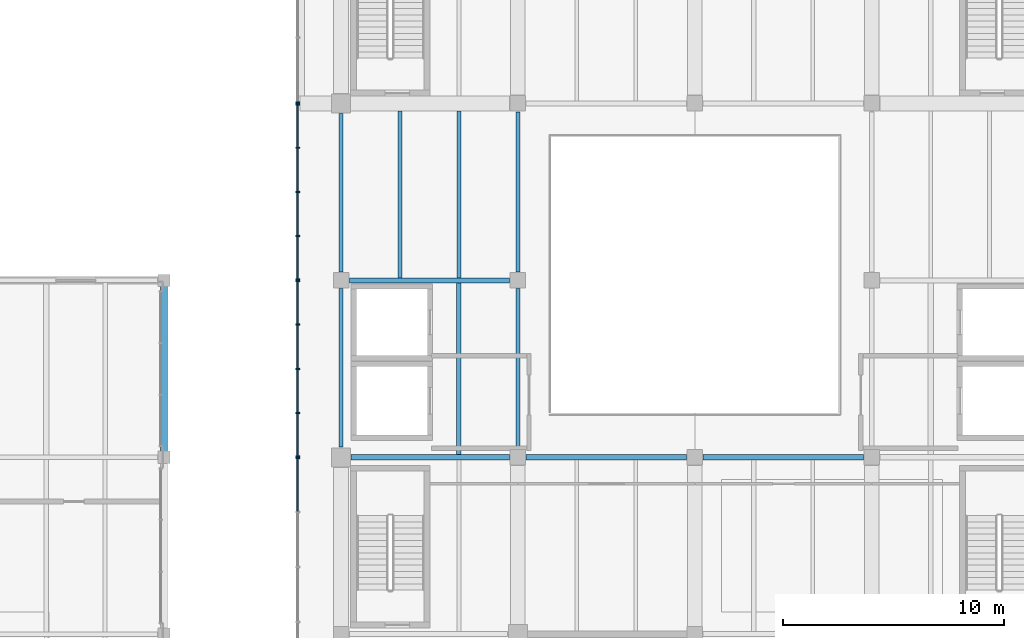
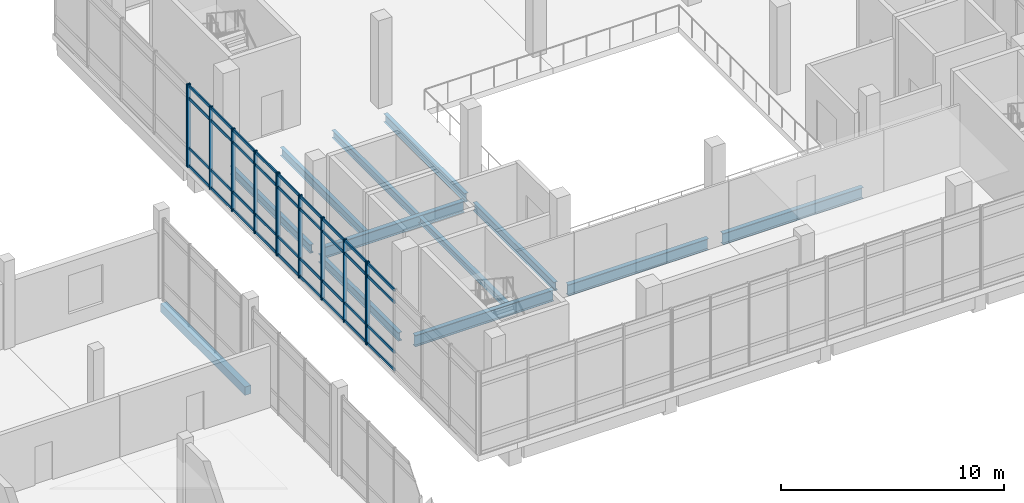
# One storey, part 18 of 47: 48 members, 12 beams, 4 elements without a shape of their own.
"""IFC4 building model written with IfcOpenShell, lengths in metres."""

from ifc_helpers import new_model, si_unit, direction, frame, origin, origin_2d, place, context, subcontext, project, spatial, rectangle, i_section, extrude, material, material_profile, profile_set, type_object, element, aggregate, save


model = new_model("IFC4")

# Units and contexts
model_context = context("Model", 3, precision=1e-05, world=origin(), true_north=direction((0.0, 1.0)))
body_context = subcontext(model_context, "Body", "Model", "MODEL_VIEW")
ifc_project = project(units=[si_unit("LENGTHUNIT", "METRE"), si_unit("AREAUNIT", "SQUARE_METRE"), si_unit("VOLUMEUNIT", "CUBIC_METRE"), si_unit("PLANEANGLEUNIT", "RADIAN"), si_unit("MASSUNIT", "GRAM", prefix="KILO")], contexts=[model_context])

# Site, building, storey
site_placement = place(None, origin())
site = spatial("IfcSite", under=ifc_project, at=site_placement, CompositionType="ELEMENT")
building_placement = place(site_placement, origin())
building = spatial("IfcBuilding", under=site, at=building_placement, Name="Pecanmere Concourse Central Library", CompositionType="ELEMENT")
storey_placement = place(building_placement, frame((0.0, 0.0, 15.300048828125)))
storey = spatial("IfcBuildingStorey", under=building, at=storey_placement, Name="L04", CompositionType="ELEMENT", Elevation=15.300048828125)

# Beam
ifc_material_1 = material(Name="Concrete C40/50", Category="concrete")
ifc_material_profile_1 = material_profile(ifc_material_1, rectangle(XDim=0.320068359375, YDim=0.4599609375, at=origin_2d()), Name="RC 320x460")
ifc_profile_set_1 = profile_set([ifc_material_profile_1], Name="Concrete C40/50")
beam_type_1 = type_object("IfcBeamType", Name="BM_320x460", PredefinedType="BEAM", material=ifc_profile_set_1)
beam_1_placement = place(storey_placement, frame((64.0, 98.219970703125, -0.550048828125), z_axis=(0.0, 1.0, 0.0), x_axis=(-1.0, 0.0, 0.0)))
element("IfcBeam", 1, at=beam_1_placement, inside=storey, type_object=beam_type_1, Name="Primary Girder Y L04-2270", PredefinedType="BEAM", context=body_context, shape_type="SweptSolid", body=[
    extrude(rectangle(XDim=0.320068359375, YDim=0.4599609375, at=origin_2d()), origin(), (0.0, 0.0, 1.0), 7.56005859375),
])

# Curtain wall, member
ifc_material_2 = material(Name="Anodized bronze aluminium alloy 6063-T6", Category="aluminium")
curtain_wall_type = type_object("IfcCurtainWallType", Name="CW_PLUMB_BANDED", PredefinedType="USERDEFINED", material=ifc_material_2)
curtain_wall_1_placement = place(storey_placement, origin())
curtain_wall_1 = element("IfcCurtainWall", 2, at=curtain_wall_1_placement, inside=storey, type_object=curtain_wall_type, Name="Unitised Curtain Wall CW-02 L04-050", ObjectType="UNITISED CURTAIN WALL", PredefinedType="USERDEFINED")
ifc_material_3 = material(Name="Anodized bronze aluminium alloy 6063-T6", Category="aluminium")
ifc_material_profile_2 = material_profile(ifc_material_3, rectangle(XDim=0.06494140625, YDim=0.179931640625, at=origin_2d()), Name="AL 65x180")
ifc_profile_set_2 = profile_set([ifc_material_profile_2], Name="Anodized bronze aluminium alloy 6063-T6")
member_type_1 = type_object("IfcMemberType", Name="CWM_180x65", PredefinedType="MULLION", material=ifc_profile_set_2)
member_1_placement = place(storey_placement, frame((70.03857421875, 114.03759765625, 0.0), z_axis=(0.0, 0.0, 1.0), x_axis=(0.0, -1.0, 0.0)))
member_1 = element("IfcMember", 3, at=member_1_placement, type_object=member_type_1, Name="CW-02 Mullion 5", PredefinedType="MULLION", context=body_context, shape_type="SweptSolid", body=[
    extrude(rectangle(XDim=0.06494140625, YDim=0.179931640625, at=origin_2d()), origin(), (0.0, 0.0, 1.0), 4.52001953125),
])
aggregate(curtain_wall_1, [member_1])

# Curtain wall, members
curtain_wall_2_placement = place(storey_placement, origin())
curtain_wall_2 = element("IfcCurtainWall", 4, at=curtain_wall_2_placement, inside=storey, type_object=curtain_wall_type, Name="Unitised Curtain Wall CW-02 L04-051", ObjectType="UNITISED CURTAIN WALL", PredefinedType="USERDEFINED")
member_2_placement = place(storey_placement, frame((70.03857421875, 113.96240234375, 0.0), z_axis=(0.0, 0.0, 1.0), x_axis=(0.0, -1.0, 0.0)))
member_2 = element("IfcMember", 5, at=member_2_placement, type_object=member_type_1, Name="CW-02 Mullion 1", PredefinedType="MULLION", context=body_context, shape_type="SweptSolid", body=[
    extrude(rectangle(XDim=0.06494140625, YDim=0.179931640625, at=origin_2d()), origin(), (0.0, 0.0, 1.0), 4.52001953125),
])
member_3_placement = place(storey_placement, frame((70.03857421875, 111.99755859375, 0.0), z_axis=(0.0, 0.0, 1.0), x_axis=(0.0, -1.0, 0.0)))
member_3 = element("IfcMember", 6, at=member_3_placement, type_object=member_type_1, Name="CW-02 Mullion 2", PredefinedType="MULLION", context=body_context, shape_type="SweptSolid", body=[
    extrude(rectangle(XDim=0.06494140625, YDim=0.179931640625, at=origin_2d()), origin(), (0.0, 0.0, 1.0), 4.52001953125),
])
member_4_placement = place(storey_placement, frame((70.03857421875, 110.0, 0.0), z_axis=(0.0, 0.0, 1.0), x_axis=(0.0, -1.0, 0.0)))
member_4 = element("IfcMember", 7, at=member_4_placement, type_object=member_type_1, Name="CW-02 Mullion 3", PredefinedType="MULLION", context=body_context, shape_type="SweptSolid", body=[
    extrude(rectangle(XDim=0.06494140625, YDim=0.179931640625, at=origin_2d()), origin(), (0.0, 0.0, 1.0), 4.52001953125),
])
member_5_placement = place(storey_placement, frame((70.03857421875, 108.00244140625, 0.0), z_axis=(0.0, 0.0, 1.0), x_axis=(0.0, -1.0, 0.0)))
member_5 = element("IfcMember", 8, at=member_5_placement, type_object=member_type_1, Name="CW-02 Mullion 4", PredefinedType="MULLION", context=body_context, shape_type="SweptSolid", body=[
    extrude(rectangle(XDim=0.06494140625, YDim=0.179931640625, at=origin_2d()), origin(), (0.0, 0.0, 1.0), 4.52001953125),
])
member_6_placement = place(storey_placement, frame((70.03857421875, 106.03759765625, 0.0), z_axis=(0.0, 0.0, 1.0), x_axis=(0.0, -1.0, 0.0)))
member_6 = element("IfcMember", 9, at=member_6_placement, type_object=member_type_1, Name="CW-02 Mullion 5", PredefinedType="MULLION", context=body_context, shape_type="SweptSolid", body=[
    extrude(rectangle(XDim=0.06494140625, YDim=0.179931640625, at=origin_2d()), origin(), (0.0, 0.0, 1.0), 4.52001953125),
])

curtain_wall_3_placement = place(storey_placement, origin())
curtain_wall_3 = element("IfcCurtainWall", 10, at=curtain_wall_3_placement, inside=storey, type_object=curtain_wall_type, Name="Unitised Curtain Wall CW-02 L04-052", ObjectType="UNITISED CURTAIN WALL", PredefinedType="USERDEFINED")
member_7_placement = place(storey_placement, frame((70.03857421875, 105.96240234375, 0.0), z_axis=(0.0, 0.0, 1.0), x_axis=(0.0, -1.0, 0.0)))
member_7 = element("IfcMember", 11, at=member_7_placement, type_object=member_type_1, Name="CW-02 Mullion 1", PredefinedType="MULLION", context=body_context, shape_type="SweptSolid", body=[
    extrude(rectangle(XDim=0.06494140625, YDim=0.179931640625, at=origin_2d()), origin(), (0.0, 0.0, 1.0), 4.52001953125),
])
member_8_placement = place(storey_placement, frame((70.03857421875, 103.99755859375, 0.0), z_axis=(0.0, 0.0, 1.0), x_axis=(0.0, -1.0, 0.0)))
member_8 = element("IfcMember", 12, at=member_8_placement, type_object=member_type_1, Name="CW-02 Mullion 2", PredefinedType="MULLION", context=body_context, shape_type="SweptSolid", body=[
    extrude(rectangle(XDim=0.06494140625, YDim=0.179931640625, at=origin_2d()), origin(), (0.0, 0.0, 1.0), 4.52001953125),
])
member_9_placement = place(storey_placement, frame((70.03857421875, 102.0, 0.0), z_axis=(0.0, 0.0, 1.0), x_axis=(0.0, -1.0, 0.0)))
member_9 = element("IfcMember", 13, at=member_9_placement, type_object=member_type_1, Name="CW-02 Mullion 3", PredefinedType="MULLION", context=body_context, shape_type="SweptSolid", body=[
    extrude(rectangle(XDim=0.06494140625, YDim=0.179931640625, at=origin_2d()), origin(), (0.0, 0.0, 1.0), 4.52001953125),
])
member_10_placement = place(storey_placement, frame((70.03857421875, 100.00244140625, 0.0), z_axis=(0.0, 0.0, 1.0), x_axis=(0.0, -1.0, 0.0)))
member_10 = element("IfcMember", 14, at=member_10_placement, type_object=member_type_1, Name="CW-02 Mullion 4", PredefinedType="MULLION", context=body_context, shape_type="SweptSolid", body=[
    extrude(rectangle(XDim=0.06494140625, YDim=0.179931640625, at=origin_2d()), origin(), (0.0, 0.0, 1.0), 4.52001953125),
])
member_11_placement = place(storey_placement, frame((70.03857421875, 98.03759765625, 0.0), z_axis=(0.0, 0.0, 1.0), x_axis=(0.0, -1.0, 0.0)))
member_11 = element("IfcMember", 15, at=member_11_placement, type_object=member_type_1, Name="CW-02 Mullion 5", PredefinedType="MULLION", context=body_context, shape_type="SweptSolid", body=[
    extrude(rectangle(XDim=0.06494140625, YDim=0.179931640625, at=origin_2d()), origin(), (0.0, 0.0, 1.0), 4.52001953125),
])

# Curtain wall, member
curtain_wall_4_placement = place(storey_placement, origin())
curtain_wall_4 = element("IfcCurtainWall", 16, at=curtain_wall_4_placement, inside=storey, type_object=curtain_wall_type, Name="Unitised Curtain Wall CW-02 L04-053", ObjectType="UNITISED CURTAIN WALL", PredefinedType="USERDEFINED")
member_12_placement = place(storey_placement, frame((70.03857421875, 97.96240234375, 0.0), z_axis=(0.0, 0.0, 1.0), x_axis=(0.0, -1.0, 0.0)))
member_12 = element("IfcMember", 17, at=member_12_placement, type_object=member_type_1, Name="CW-02 Mullion 1", PredefinedType="MULLION", context=body_context, shape_type="SweptSolid", body=[
    extrude(rectangle(XDim=0.06494140625, YDim=0.179931640625, at=origin_2d()), origin(), (0.0, 0.0, 1.0), 4.52001953125),
])

# Member
ifc_material_4 = material(Name="Anodized bronze aluminium alloy 6063-T6", Category="aluminium")
ifc_material_profile_3 = material_profile(ifc_material_4, rectangle(XDim=0.06005859375, YDim=0.159912109375, at=origin_2d()), Name="AL 60x160")
ifc_profile_set_3 = profile_set([ifc_material_profile_3], Name="Anodized bronze aluminium alloy 6063-T6")
member_type_2 = type_object("IfcMemberType", Name="CWT_160x60", PredefinedType="USERDEFINED", material=ifc_profile_set_3)
member_13_placement = place(storey_placement, frame((70.03857421875, 113.929931640625, 0.079833984375), z_axis=(0.0, -1.0, 0.0), x_axis=(1.0, 0.0, 0.0)))
member_13 = element("IfcMember", 18, at=member_13_placement, type_object=member_type_2, Name="CW-02 Transom 1.1", ObjectType="TRANSOM", PredefinedType="USERDEFINED", context=body_context, shape_type="SweptSolid", body=[
    extrude(rectangle(XDim=0.06005859375, YDim=0.159912109375, at=origin_2d()), origin(), (0.0, 0.0, 1.0), 1.89990234375),
])

member_14_placement = place(storey_placement, frame((70.03857421875, 113.929931640625, 1.050048828125), z_axis=(0.0, -1.0, 0.0), x_axis=(1.0, 0.0, 0.0)))
member_14 = element("IfcMember", 19, at=member_14_placement, type_object=member_type_2, Name="CW-02 Transom 1.2", ObjectType="TRANSOM", PredefinedType="USERDEFINED", context=body_context, shape_type="SweptSolid", body=[
    extrude(rectangle(XDim=0.06005859375, YDim=0.159912109375, at=origin_2d()), origin(), (0.0, 0.0, 1.0), 1.89990234375),
])

member_15_placement = place(storey_placement, frame((70.03857421875, 113.929931640625, 3.77001953125), z_axis=(0.0, -1.0, 0.0), x_axis=(1.0, 0.0, 0.0)))
member_15 = element("IfcMember", 20, at=member_15_placement, type_object=member_type_2, Name="CW-02 Transom 1.3", ObjectType="TRANSOM", PredefinedType="USERDEFINED", context=body_context, shape_type="SweptSolid", body=[
    extrude(rectangle(XDim=0.06005859375, YDim=0.159912109375, at=origin_2d()), origin(), (0.0, 0.0, 1.0), 1.89990234375),
])

member_16_placement = place(storey_placement, frame((70.03857421875, 113.929931640625, 4.43994140625), z_axis=(0.0, -1.0, 0.0), x_axis=(1.0, 0.0, 0.0)))
member_16 = element("IfcMember", 21, at=member_16_placement, type_object=member_type_2, Name="CW-02 Transom 1.4", ObjectType="TRANSOM", PredefinedType="USERDEFINED", context=body_context, shape_type="SweptSolid", body=[
    extrude(rectangle(XDim=0.06005859375, YDim=0.159912109375, at=origin_2d()), origin(), (0.0, 0.0, 1.0), 1.89990234375),
])

member_17_placement = place(storey_placement, frame((70.03857421875, 111.965087890625, 0.079833984375), z_axis=(0.0, -1.0, 0.0), x_axis=(1.0, 0.0, 0.0)))
member_17 = element("IfcMember", 22, at=member_17_placement, type_object=member_type_2, Name="CW-02 Transom 2.1", ObjectType="TRANSOM", PredefinedType="USERDEFINED", context=body_context, shape_type="SweptSolid", body=[
    extrude(rectangle(XDim=0.06005859375, YDim=0.159912109375, at=origin_2d()), origin(), (0.0, 0.0, 1.0), 1.9326171875),
])

member_18_placement = place(storey_placement, frame((70.03857421875, 111.965087890625, 1.050048828125), z_axis=(0.0, -1.0, 0.0), x_axis=(1.0, 0.0, 0.0)))
member_18 = element("IfcMember", 23, at=member_18_placement, type_object=member_type_2, Name="CW-02 Transom 2.2", ObjectType="TRANSOM", PredefinedType="USERDEFINED", context=body_context, shape_type="SweptSolid", body=[
    extrude(rectangle(XDim=0.06005859375, YDim=0.159912109375, at=origin_2d()), origin(), (0.0, 0.0, 1.0), 1.9326171875),
])

member_19_placement = place(storey_placement, frame((70.03857421875, 111.965087890625, 3.77001953125), z_axis=(0.0, -1.0, 0.0), x_axis=(1.0, 0.0, 0.0)))
member_19 = element("IfcMember", 24, at=member_19_placement, type_object=member_type_2, Name="CW-02 Transom 2.3", ObjectType="TRANSOM", PredefinedType="USERDEFINED", context=body_context, shape_type="SweptSolid", body=[
    extrude(rectangle(XDim=0.06005859375, YDim=0.159912109375, at=origin_2d()), origin(), (0.0, 0.0, 1.0), 1.9326171875),
])

member_20_placement = place(storey_placement, frame((70.03857421875, 111.965087890625, 4.43994140625), z_axis=(0.0, -1.0, 0.0), x_axis=(1.0, 0.0, 0.0)))
member_20 = element("IfcMember", 25, at=member_20_placement, type_object=member_type_2, Name="CW-02 Transom 2.4", ObjectType="TRANSOM", PredefinedType="USERDEFINED", context=body_context, shape_type="SweptSolid", body=[
    extrude(rectangle(XDim=0.06005859375, YDim=0.159912109375, at=origin_2d()), origin(), (0.0, 0.0, 1.0), 1.9326171875),
])

member_21_placement = place(storey_placement, frame((70.03857421875, 109.967529296875, 0.079833984375), z_axis=(0.0, -1.0, 0.0), x_axis=(1.0, 0.0, 0.0)))
member_21 = element("IfcMember", 26, at=member_21_placement, type_object=member_type_2, Name="CW-02 Transom 3.1", ObjectType="TRANSOM", PredefinedType="USERDEFINED", context=body_context, shape_type="SweptSolid", body=[
    extrude(rectangle(XDim=0.06005859375, YDim=0.159912109375, at=origin_2d()), origin(), (0.0, 0.0, 1.0), 1.9326171875),
])

member_22_placement = place(storey_placement, frame((70.03857421875, 109.967529296875, 1.050048828125), z_axis=(0.0, -1.0, 0.0), x_axis=(1.0, 0.0, 0.0)))
member_22 = element("IfcMember", 27, at=member_22_placement, type_object=member_type_2, Name="CW-02 Transom 3.2", ObjectType="TRANSOM", PredefinedType="USERDEFINED", context=body_context, shape_type="SweptSolid", body=[
    extrude(rectangle(XDim=0.06005859375, YDim=0.159912109375, at=origin_2d()), origin(), (0.0, 0.0, 1.0), 1.9326171875),
])

member_23_placement = place(storey_placement, frame((70.03857421875, 109.967529296875, 3.77001953125), z_axis=(0.0, -1.0, 0.0), x_axis=(1.0, 0.0, 0.0)))
member_23 = element("IfcMember", 28, at=member_23_placement, type_object=member_type_2, Name="CW-02 Transom 3.3", ObjectType="TRANSOM", PredefinedType="USERDEFINED", context=body_context, shape_type="SweptSolid", body=[
    extrude(rectangle(XDim=0.06005859375, YDim=0.159912109375, at=origin_2d()), origin(), (0.0, 0.0, 1.0), 1.9326171875),
])

member_24_placement = place(storey_placement, frame((70.03857421875, 109.967529296875, 4.43994140625), z_axis=(0.0, -1.0, 0.0), x_axis=(1.0, 0.0, 0.0)))
member_24 = element("IfcMember", 29, at=member_24_placement, type_object=member_type_2, Name="CW-02 Transom 3.4", ObjectType="TRANSOM", PredefinedType="USERDEFINED", context=body_context, shape_type="SweptSolid", body=[
    extrude(rectangle(XDim=0.06005859375, YDim=0.159912109375, at=origin_2d()), origin(), (0.0, 0.0, 1.0), 1.9326171875),
])

member_25_placement = place(storey_placement, frame((70.03857421875, 107.969970703125, 0.079833984375), z_axis=(0.0, -1.0, 0.0), x_axis=(1.0, 0.0, 0.0)))
member_25 = element("IfcMember", 30, at=member_25_placement, type_object=member_type_2, Name="CW-02 Transom 4.1", ObjectType="TRANSOM", PredefinedType="USERDEFINED", context=body_context, shape_type="SweptSolid", body=[
    extrude(rectangle(XDim=0.06005859375, YDim=0.159912109375, at=origin_2d()), origin(), (0.0, 0.0, 1.0), 1.89990234375),
])

member_26_placement = place(storey_placement, frame((70.03857421875, 107.969970703125, 1.050048828125), z_axis=(0.0, -1.0, 0.0), x_axis=(1.0, 0.0, 0.0)))
member_26 = element("IfcMember", 31, at=member_26_placement, type_object=member_type_2, Name="CW-02 Transom 4.2", ObjectType="TRANSOM", PredefinedType="USERDEFINED", context=body_context, shape_type="SweptSolid", body=[
    extrude(rectangle(XDim=0.06005859375, YDim=0.159912109375, at=origin_2d()), origin(), (0.0, 0.0, 1.0), 1.89990234375),
])

member_27_placement = place(storey_placement, frame((70.03857421875, 107.969970703125, 3.77001953125), z_axis=(0.0, -1.0, 0.0), x_axis=(1.0, 0.0, 0.0)))
member_27 = element("IfcMember", 32, at=member_27_placement, type_object=member_type_2, Name="CW-02 Transom 4.3", ObjectType="TRANSOM", PredefinedType="USERDEFINED", context=body_context, shape_type="SweptSolid", body=[
    extrude(rectangle(XDim=0.06005859375, YDim=0.159912109375, at=origin_2d()), origin(), (0.0, 0.0, 1.0), 1.89990234375),
])

member_28_placement = place(storey_placement, frame((70.03857421875, 107.969970703125, 4.43994140625), z_axis=(0.0, -1.0, 0.0), x_axis=(1.0, 0.0, 0.0)))
member_28 = element("IfcMember", 33, at=member_28_placement, type_object=member_type_2, Name="CW-02 Transom 4.4", ObjectType="TRANSOM", PredefinedType="USERDEFINED", context=body_context, shape_type="SweptSolid", body=[
    extrude(rectangle(XDim=0.06005859375, YDim=0.159912109375, at=origin_2d()), origin(), (0.0, 0.0, 1.0), 1.89990234375),
])

aggregate(curtain_wall_2, [member_2, member_3, member_4, member_5, member_6, member_13, member_14, member_15, member_16, member_17, member_18, member_19, member_20, member_21, member_22, member_23, member_24, member_25, member_26, member_27, member_28])

member_29_placement = place(storey_placement, frame((70.03857421875, 105.929931640625, 0.079833984375), z_axis=(0.0, -1.0, 0.0), x_axis=(1.0, 0.0, 0.0)))
member_29 = element("IfcMember", 34, at=member_29_placement, type_object=member_type_2, Name="CW-02 Transom 1.1", ObjectType="TRANSOM", PredefinedType="USERDEFINED", context=body_context, shape_type="SweptSolid", body=[
    extrude(rectangle(XDim=0.06005859375, YDim=0.159912109375, at=origin_2d()), origin(), (0.0, 0.0, 1.0), 1.89990234375),
])

member_30_placement = place(storey_placement, frame((70.03857421875, 105.929931640625, 1.050048828125), z_axis=(0.0, -1.0, 0.0), x_axis=(1.0, 0.0, 0.0)))
member_30 = element("IfcMember", 35, at=member_30_placement, type_object=member_type_2, Name="CW-02 Transom 1.2", ObjectType="TRANSOM", PredefinedType="USERDEFINED", context=body_context, shape_type="SweptSolid", body=[
    extrude(rectangle(XDim=0.06005859375, YDim=0.159912109375, at=origin_2d()), origin(), (0.0, 0.0, 1.0), 1.89990234375),
])

member_31_placement = place(storey_placement, frame((70.03857421875, 105.929931640625, 3.77001953125), z_axis=(0.0, -1.0, 0.0), x_axis=(1.0, 0.0, 0.0)))
member_31 = element("IfcMember", 36, at=member_31_placement, type_object=member_type_2, Name="CW-02 Transom 1.3", ObjectType="TRANSOM", PredefinedType="USERDEFINED", context=body_context, shape_type="SweptSolid", body=[
    extrude(rectangle(XDim=0.06005859375, YDim=0.159912109375, at=origin_2d()), origin(), (0.0, 0.0, 1.0), 1.89990234375),
])

member_32_placement = place(storey_placement, frame((70.03857421875, 105.929931640625, 4.43994140625), z_axis=(0.0, -1.0, 0.0), x_axis=(1.0, 0.0, 0.0)))
member_32 = element("IfcMember", 37, at=member_32_placement, type_object=member_type_2, Name="CW-02 Transom 1.4", ObjectType="TRANSOM", PredefinedType="USERDEFINED", context=body_context, shape_type="SweptSolid", body=[
    extrude(rectangle(XDim=0.06005859375, YDim=0.159912109375, at=origin_2d()), origin(), (0.0, 0.0, 1.0), 1.89990234375),
])

member_33_placement = place(storey_placement, frame((70.03857421875, 103.965087890625, 0.079833984375), z_axis=(0.0, -1.0, 0.0), x_axis=(1.0, 0.0, 0.0)))
member_33 = element("IfcMember", 38, at=member_33_placement, type_object=member_type_2, Name="CW-02 Transom 2.1", ObjectType="TRANSOM", PredefinedType="USERDEFINED", context=body_context, shape_type="SweptSolid", body=[
    extrude(rectangle(XDim=0.06005859375, YDim=0.159912109375, at=origin_2d()), origin(), (0.0, 0.0, 1.0), 1.9326171875),
])

member_34_placement = place(storey_placement, frame((70.03857421875, 103.965087890625, 1.050048828125), z_axis=(0.0, -1.0, 0.0), x_axis=(1.0, 0.0, 0.0)))
member_34 = element("IfcMember", 39, at=member_34_placement, type_object=member_type_2, Name="CW-02 Transom 2.2", ObjectType="TRANSOM", PredefinedType="USERDEFINED", context=body_context, shape_type="SweptSolid", body=[
    extrude(rectangle(XDim=0.06005859375, YDim=0.159912109375, at=origin_2d()), origin(), (0.0, 0.0, 1.0), 1.9326171875),
])

member_35_placement = place(storey_placement, frame((70.03857421875, 103.965087890625, 3.77001953125), z_axis=(0.0, -1.0, 0.0), x_axis=(1.0, 0.0, 0.0)))
member_35 = element("IfcMember", 40, at=member_35_placement, type_object=member_type_2, Name="CW-02 Transom 2.3", ObjectType="TRANSOM", PredefinedType="USERDEFINED", context=body_context, shape_type="SweptSolid", body=[
    extrude(rectangle(XDim=0.06005859375, YDim=0.159912109375, at=origin_2d()), origin(), (0.0, 0.0, 1.0), 1.9326171875),
])

member_36_placement = place(storey_placement, frame((70.03857421875, 103.965087890625, 4.43994140625), z_axis=(0.0, -1.0, 0.0), x_axis=(1.0, 0.0, 0.0)))
member_36 = element("IfcMember", 41, at=member_36_placement, type_object=member_type_2, Name="CW-02 Transom 2.4", ObjectType="TRANSOM", PredefinedType="USERDEFINED", context=body_context, shape_type="SweptSolid", body=[
    extrude(rectangle(XDim=0.06005859375, YDim=0.159912109375, at=origin_2d()), origin(), (0.0, 0.0, 1.0), 1.9326171875),
])

member_37_placement = place(storey_placement, frame((70.03857421875, 101.967529296875, 0.079833984375), z_axis=(0.0, -1.0, 0.0), x_axis=(1.0, 0.0, 0.0)))
member_37 = element("IfcMember", 42, at=member_37_placement, type_object=member_type_2, Name="CW-02 Transom 3.1", ObjectType="TRANSOM", PredefinedType="USERDEFINED", context=body_context, shape_type="SweptSolid", body=[
    extrude(rectangle(XDim=0.06005859375, YDim=0.159912109375, at=origin_2d()), origin(), (0.0, 0.0, 1.0), 1.9326171875),
])

member_38_placement = place(storey_placement, frame((70.03857421875, 101.967529296875, 1.050048828125), z_axis=(0.0, -1.0, 0.0), x_axis=(1.0, 0.0, 0.0)))
member_38 = element("IfcMember", 43, at=member_38_placement, type_object=member_type_2, Name="CW-02 Transom 3.2", ObjectType="TRANSOM", PredefinedType="USERDEFINED", context=body_context, shape_type="SweptSolid", body=[
    extrude(rectangle(XDim=0.06005859375, YDim=0.159912109375, at=origin_2d()), origin(), (0.0, 0.0, 1.0), 1.9326171875),
])

member_39_placement = place(storey_placement, frame((70.03857421875, 101.967529296875, 3.77001953125), z_axis=(0.0, -1.0, 0.0), x_axis=(1.0, 0.0, 0.0)))
member_39 = element("IfcMember", 44, at=member_39_placement, type_object=member_type_2, Name="CW-02 Transom 3.3", ObjectType="TRANSOM", PredefinedType="USERDEFINED", context=body_context, shape_type="SweptSolid", body=[
    extrude(rectangle(XDim=0.06005859375, YDim=0.159912109375, at=origin_2d()), origin(), (0.0, 0.0, 1.0), 1.9326171875),
])

member_40_placement = place(storey_placement, frame((70.03857421875, 101.967529296875, 4.43994140625), z_axis=(0.0, -1.0, 0.0), x_axis=(1.0, 0.0, 0.0)))
member_40 = element("IfcMember", 45, at=member_40_placement, type_object=member_type_2, Name="CW-02 Transom 3.4", ObjectType="TRANSOM", PredefinedType="USERDEFINED", context=body_context, shape_type="SweptSolid", body=[
    extrude(rectangle(XDim=0.06005859375, YDim=0.159912109375, at=origin_2d()), origin(), (0.0, 0.0, 1.0), 1.9326171875),
])

member_41_placement = place(storey_placement, frame((70.03857421875, 99.969970703125, 0.079833984375), z_axis=(0.0, -1.0, 0.0), x_axis=(1.0, 0.0, 0.0)))
member_41 = element("IfcMember", 46, at=member_41_placement, type_object=member_type_2, Name="CW-02 Transom 4.1", ObjectType="TRANSOM", PredefinedType="USERDEFINED", context=body_context, shape_type="SweptSolid", body=[
    extrude(rectangle(XDim=0.06005859375, YDim=0.159912109375, at=origin_2d()), origin(), (0.0, 0.0, 1.0), 1.89990234375),
])

member_42_placement = place(storey_placement, frame((70.03857421875, 99.969970703125, 1.050048828125), z_axis=(0.0, -1.0, 0.0), x_axis=(1.0, 0.0, 0.0)))
member_42 = element("IfcMember", 47, at=member_42_placement, type_object=member_type_2, Name="CW-02 Transom 4.2", ObjectType="TRANSOM", PredefinedType="USERDEFINED", context=body_context, shape_type="SweptSolid", body=[
    extrude(rectangle(XDim=0.06005859375, YDim=0.159912109375, at=origin_2d()), origin(), (0.0, 0.0, 1.0), 1.89990234375),
])

member_43_placement = place(storey_placement, frame((70.03857421875, 99.969970703125, 3.77001953125), z_axis=(0.0, -1.0, 0.0), x_axis=(1.0, 0.0, 0.0)))
member_43 = element("IfcMember", 48, at=member_43_placement, type_object=member_type_2, Name="CW-02 Transom 4.3", ObjectType="TRANSOM", PredefinedType="USERDEFINED", context=body_context, shape_type="SweptSolid", body=[
    extrude(rectangle(XDim=0.06005859375, YDim=0.159912109375, at=origin_2d()), origin(), (0.0, 0.0, 1.0), 1.89990234375),
])

member_44_placement = place(storey_placement, frame((70.03857421875, 99.969970703125, 4.43994140625), z_axis=(0.0, -1.0, 0.0), x_axis=(1.0, 0.0, 0.0)))
member_44 = element("IfcMember", 49, at=member_44_placement, type_object=member_type_2, Name="CW-02 Transom 4.4", ObjectType="TRANSOM", PredefinedType="USERDEFINED", context=body_context, shape_type="SweptSolid", body=[
    extrude(rectangle(XDim=0.06005859375, YDim=0.159912109375, at=origin_2d()), origin(), (0.0, 0.0, 1.0), 1.89990234375),
])

aggregate(curtain_wall_3, [member_7, member_8, member_9, member_10, member_11, member_29, member_30, member_31, member_32, member_33, member_34, member_35, member_36, member_37, member_38, member_39, member_40, member_41, member_42, member_43, member_44])

member_45_placement = place(storey_placement, frame((70.03857421875, 97.929931640625, 0.079833984375), z_axis=(0.0, -1.0, 0.0), x_axis=(1.0, 0.0, 0.0)))
member_45 = element("IfcMember", 50, at=member_45_placement, type_object=member_type_2, Name="CW-02 Transom 1.1", ObjectType="TRANSOM", PredefinedType="USERDEFINED", context=body_context, shape_type="SweptSolid", body=[
    extrude(rectangle(XDim=0.06005859375, YDim=0.159912109375, at=origin_2d()), origin(), (0.0, 0.0, 1.0), 2.381591796875),
])

member_46_placement = place(storey_placement, frame((70.03857421875, 97.929931640625, 1.050048828125), z_axis=(0.0, -1.0, 0.0), x_axis=(1.0, 0.0, 0.0)))
member_46 = element("IfcMember", 51, at=member_46_placement, type_object=member_type_2, Name="CW-02 Transom 1.2", ObjectType="TRANSOM", PredefinedType="USERDEFINED", context=body_context, shape_type="SweptSolid", body=[
    extrude(rectangle(XDim=0.06005859375, YDim=0.159912109375, at=origin_2d()), origin(), (0.0, 0.0, 1.0), 2.381591796875),
])

member_47_placement = place(storey_placement, frame((70.03857421875, 97.929931640625, 3.77001953125), z_axis=(0.0, -1.0, 0.0), x_axis=(1.0, 0.0, 0.0)))
member_47 = element("IfcMember", 52, at=member_47_placement, type_object=member_type_2, Name="CW-02 Transom 1.3", ObjectType="TRANSOM", PredefinedType="USERDEFINED", context=body_context, shape_type="SweptSolid", body=[
    extrude(rectangle(XDim=0.06005859375, YDim=0.159912109375, at=origin_2d()), origin(), (0.0, 0.0, 1.0), 2.381591796875),
])

member_48_placement = place(storey_placement, frame((70.03857421875, 97.929931640625, 4.43994140625), z_axis=(0.0, -1.0, 0.0), x_axis=(1.0, 0.0, 0.0)))
member_48 = element("IfcMember", 53, at=member_48_placement, type_object=member_type_2, Name="CW-02 Transom 1.4", ObjectType="TRANSOM", PredefinedType="USERDEFINED", context=body_context, shape_type="SweptSolid", body=[
    extrude(rectangle(XDim=0.06005859375, YDim=0.159912109375, at=origin_2d()), origin(), (0.0, 0.0, 1.0), 2.381591796875),
])

aggregate(curtain_wall_4, [member_12, member_45, member_46, member_47, member_48])

# Beams
ifc_material_5 = material(Name="Structural steel ASTM A992 Grade 50", Category="steel")
ifc_material_profile_4 = material_profile(ifc_material_5, i_section(OverallWidth=0.202880859375, OverallDepth=0.346923828125, WebThickness=0.0078125, FlangeThickness=0.013427734375, at=origin_2d()), Name="W360x64")
ifc_profile_set_4 = profile_set([ifc_material_profile_4], Name="Structural steel ASTM A992 Grade 50")
beam_type_2 = type_object("IfcBeamType", Name="SBM_W360x64", PredefinedType="JOIST", material=ifc_profile_set_4)
beam_2_placement = place(storey_placement, frame((77.333251953125, 98.114990234375, -0.49365234375), z_axis=(0.0, 1.0, 0.0), x_axis=(-1.0, 0.0, 0.0)))
element("IfcBeam", 54, at=beam_2_placement, inside=storey, type_object=beam_type_2, Name="Secondary Floor Joist L04-2383", PredefinedType="JOIST", context=body_context, shape_type="SweptSolid", body=[
    extrude(i_section(OverallWidth=0.202880859375, OverallDepth=0.346923828125, WebThickness=0.0078125, FlangeThickness=0.013427734375, at=origin_2d()), origin(), (0.0, 0.0, 1.0), 7.77001953125),
])
ifc_material_6 = material(Name="Structural steel ASTM A992 Grade 50", Category="steel")
ifc_material_profile_5 = material_profile(ifc_material_6, i_section(OverallWidth=0.180908203125, OverallDepth=0.4169921875, WebThickness=0.010986328125, FlangeThickness=0.018310546875, at=origin_2d()), Name="W410x85")
ifc_profile_set_5 = profile_set([ifc_material_profile_5], Name="Structural steel ASTM A992 Grade 50")
beam_type_3 = type_object("IfcBeamType", Name="SBM_W410x85", PredefinedType="BEAM", material=ifc_profile_set_5)
beam_3_placement = place(storey_placement, frame((77.333251953125, 106.114990234375, -0.528564453125), z_axis=(0.0, 1.0, 0.0), x_axis=(-1.0, 0.0, 0.0)))
element("IfcBeam", 55, at=beam_3_placement, inside=storey, type_object=beam_type_3, Name="Secondary Floor Joist L04-2385", PredefinedType="BEAM", context=body_context, shape_type="SweptSolid", body=[
    extrude(i_section(OverallWidth=0.180908203125, OverallDepth=0.4169921875, WebThickness=0.010986328125, FlangeThickness=0.018310546875, at=origin_2d()), origin(), (0.0, 0.0, 1.0), 7.554931640625),
])
ifc_material_7 = material(Name="Structural steel ASTM A992 Grade 50", Category="steel")
ifc_material_profile_6 = material_profile(ifc_material_7, i_section(OverallWidth=0.194091796875, OverallDepth=0.468994140625, WebThickness=0.0126953125, FlangeThickness=0.0205078125, at=origin_2d()), Name="W460x106")
ifc_profile_set_6 = profile_set([ifc_material_profile_6], Name="Structural steel ASTM A992 Grade 50")
beam_type_4 = type_object("IfcBeamType", Name="SBM_W460x106", PredefinedType="USERDEFINED", material=ifc_profile_set_6)
for number, where, z_axis, x_axis, name in (
    (56, (72.0, 98.4599609375, -0.554443359375), (0.0, 1.0, 0.0), (-1.0, 0.0, 0.0), "Primary Girder Y L04-2272"),
    (57, (72.0, 106.375, -0.554443359375), (0.0, 1.0, 0.0), (-1.0, 0.0, 0.0), "Primary Girder Y L04-2273"),
):
    element("IfcBeam", number, at=place(storey_placement, frame(where, z_axis=z_axis, x_axis=x_axis)), inside=storey, type_object=beam_type_4, Name=name, ObjectType="GIRDER", PredefinedType="USERDEFINED", context=body_context, shape_type="SweptSolid", body=[
        extrude(i_section(OverallWidth=0.194091796875, OverallDepth=0.468994140625, WebThickness=0.0126953125, FlangeThickness=0.0205078125, at=origin_2d()), origin(), (0.0, 0.0, 1.0), 7.1650390625),
    ])
for number, where, z_axis, x_axis, name in (
    (58, (80.0, 98.375, -0.554443359375), (0.0, 1.0, 0.0), (-1.0, 0.0, 0.0), "Primary Girder Y L04-2276"),
    (59, (80.0, 106.375, -0.554443359375), (0.0, 1.0, 0.0), (-1.0, 0.0, 0.0), "Primary Girder Y L04-2277"),
):
    element("IfcBeam", number, at=place(storey_placement, frame(where, z_axis=z_axis, x_axis=x_axis)), inside=storey, type_object=beam_type_4, Name=name, ObjectType="GIRDER", PredefinedType="USERDEFINED", context=body_context, shape_type="SweptSolid", body=[
        extrude(i_section(OverallWidth=0.194091796875, OverallDepth=0.468994140625, WebThickness=0.0126953125, FlangeThickness=0.0205078125, at=origin_2d()), origin(), (0.0, 0.0, 1.0), 7.25),
    ])
ifc_material_8 = material(Name="Structural steel ASTM A992 Grade 50", Category="steel")
ifc_material_profile_7 = material_profile(ifc_material_8, i_section(OverallWidth=0.18994140625, OverallDepth=0.45703125, WebThickness=0.009033203125, FlangeThickness=0.014404296875, at=origin_2d()), Name="W460x74")
ifc_profile_set_7 = profile_set([ifc_material_profile_7], Name="Structural steel ASTM A992 Grade 50")
beam_type_5 = type_object("IfcBeamType", Name="SBM_W460x74", PredefinedType="BEAM", material=ifc_profile_set_7)
beam_4_placement = place(storey_placement, frame((74.666748046875, 106.114990234375, -0.548583984375), z_axis=(0.0, 1.0, 0.0), x_axis=(-1.0, 0.0, 0.0)))
element("IfcBeam", 60, at=beam_4_placement, inside=storey, type_object=beam_type_5, Name="Secondary Floor Joist L04-2384", PredefinedType="BEAM", context=body_context, shape_type="SweptSolid", body=[
    extrude(i_section(OverallWidth=0.18994140625, OverallDepth=0.45703125, WebThickness=0.009033203125, FlangeThickness=0.014404296875, at=origin_2d()), origin(), (0.0, 0.0, 1.0), 7.554931640625),
])
ifc_material_9 = material(Name="Structural steel ASTM A992 Grade 50", Category="steel")
ifc_material_profile_8 = material_profile(ifc_material_9, i_section(OverallWidth=0.22998046875, OverallDepth=0.616943359375, WebThickness=0.01318359375, FlangeThickness=0.022216796875, at=origin_2d()), Name="W610x140")
ifc_profile_set_8 = profile_set([ifc_material_profile_8], Name="Structural steel ASTM A992 Grade 50")
beam_type_6 = type_object("IfcBeamType", Name="SBM_W610x140", PredefinedType="USERDEFINED", material=ifc_profile_set_8)
beam_5_placement = place(storey_placement, frame((72.4599609375, 98.0, -0.628662109375), z_axis=(1.0, 0.0, 0.0), x_axis=(0.0, 1.0, 0.0)))
element("IfcBeam", 61, at=beam_5_placement, inside=storey, type_object=beam_type_6, Name="Primary Girder X L04-2195", ObjectType="GIRDER", PredefinedType="USERDEFINED", context=body_context, shape_type="SweptSolid", body=[
    extrude(i_section(OverallWidth=0.22998046875, OverallDepth=0.616943359375, WebThickness=0.01318359375, FlangeThickness=0.022216796875, at=origin_2d()), origin(), (0.0, 0.0, 1.0), 7.1650390625),
])
for number, where, z_axis, x_axis, name in (
    (62, (80.375, 98.0, -0.628662109375), (1.0, 0.0, 0.0), (0.0, 1.0, 0.0), "Primary Girder X L04-2196"),
    (63, (88.375, 98.0, -0.628662109375), (1.0, 0.0, 0.0), (0.0, 1.0, 0.0), "Primary Girder X L04-2197"),
    (64, (72.375, 106.0, -0.628662109375), (1.0, 0.0, 0.0), (0.0, 1.0, 0.0), "Primary Girder X L04-2207"),
):
    element("IfcBeam", number, at=place(storey_placement, frame(where, z_axis=z_axis, x_axis=x_axis)), inside=storey, type_object=beam_type_6, Name=name, ObjectType="GIRDER", PredefinedType="USERDEFINED", context=body_context, shape_type="SweptSolid", body=[
        extrude(i_section(OverallWidth=0.22998046875, OverallDepth=0.616943359375, WebThickness=0.01318359375, FlangeThickness=0.022216796875, at=origin_2d()), origin(), (0.0, 0.0, 1.0), 7.25),
    ])

save(model, "model.ifc")
